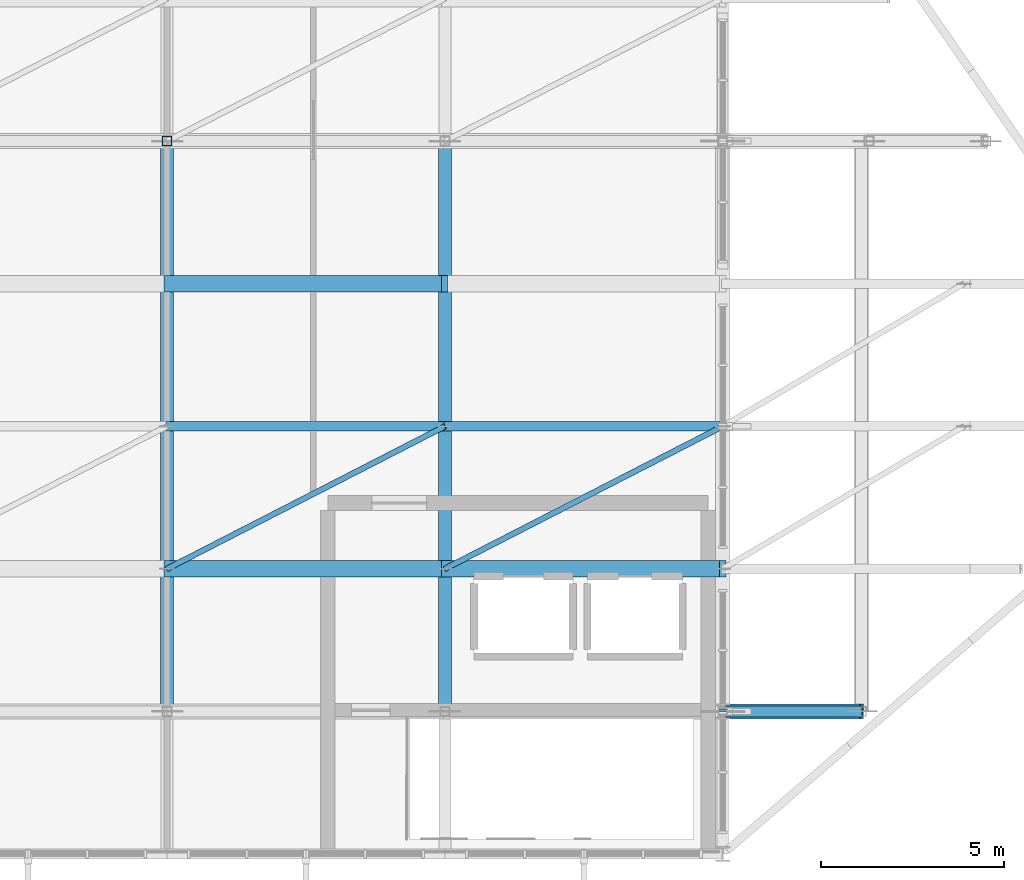
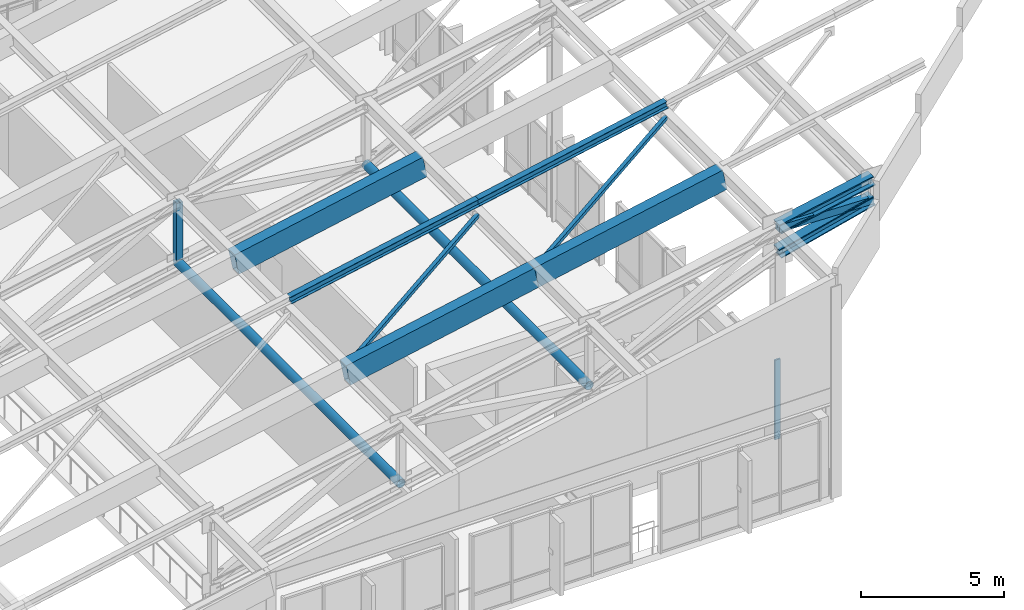
# One storey, part 26 of 73: 11 members, 3 beams, 1 element without a shape of its own.
"""IFC4 building model written with IfcOpenShell, lengths in metres."""

from ifc_helpers import new_model, si_unit, direction, frame, origin, origin_2d, place, context, subcontext, project, spatial, rectangle, hollow_rectangle, hollow_circle, i_section, extrude, material, material_profile, profile_set, type_object, element, aggregate, save


model = new_model("IFC4")

# Units and contexts
model_context = context("Model", 3, precision=1e-05, world=origin(), true_north=direction((0.0, 1.0)))
body_context = subcontext(model_context, "Body", "Model", "MODEL_VIEW")
ifc_project = project(units=[si_unit("LENGTHUNIT", "METRE"), si_unit("AREAUNIT", "SQUARE_METRE"), si_unit("VOLUMEUNIT", "CUBIC_METRE"), si_unit("PLANEANGLEUNIT", "RADIAN"), si_unit("MASSUNIT", "GRAM", prefix="KILO")], contexts=[model_context])

# Site, building, storey
site_placement = place(None, origin())
site = spatial("IfcSite", under=ifc_project, at=site_placement, CompositionType="ELEMENT")
building_placement = place(site_placement, origin())
building = spatial("IfcBuilding", under=site, at=building_placement, Name="Vervanel Yard Central Library", CompositionType="ELEMENT")
storey_placement = place(building_placement, frame((0.0, 0.0, 12.780029296875)))
storey = spatial("IfcBuildingStorey", under=building, at=storey_placement, Name="L03", CompositionType="ELEMENT", Elevation=12.780029296875)

# Beams
ifc_material_1 = material(Name="Concrete C45/55", Category="concrete")
ifc_material_profile_1 = material_profile(ifc_material_1, rectangle(XDim=0.449951171875, YDim=0.89990234375, at=origin_2d()), Name="RC 450x900", Category="concrete")
ifc_profile_set_1 = profile_set([ifc_material_profile_1], Name="Concrete C45/55")
beam_type = type_object("IfcBeamType", Name="Folded Shell Concrete Valley Rib 450x900", PredefinedType="BEAM", material=ifc_profile_set_1)
for number, where, z_axis, x_axis, name in (
    (1, (130.800048828125, 51.0, 5.81103515625), (0.980652097773, 0.0, 0.19575868597), (0.0, 1.0, 0.0), "Folded Shell Valley Rib Bay 6 Y=51.0"),
    (2, (130.800048828125, 58.800048828125, 5.81103515625), (0.980652097773, 0.0, 0.19575868597), (0.0, 1.0, 0.0), "Folded Shell Valley Rib Bay 6 Y=58.8"),
):
    element("IfcBeam", number, at=place(storey_placement, frame(where, z_axis=z_axis, x_axis=x_axis)), inside=storey, type_object=beam_type, Name=name, PredefinedType="BEAM", context=body_context, shape_type="SweptSolid", body=[
        extrude(rectangle(XDim=0.449951171875, YDim=0.89990234375, at=origin_2d()), origin(), (0.0, 0.0, 1.0), 7.749755859375),
    ])
beam_placement = place(storey_placement, frame((138.39990234375, 51.0, 7.328125), z_axis=(0.980653304953, 0.0, 0.195752638515), x_axis=(0.0, 1.0, 0.0)))
element("IfcBeam", 3, at=beam_placement, inside=storey, type_object=beam_type, Name="Folded Shell Valley Rib Bay 7 Y=51.0", PredefinedType="BEAM", context=body_context, shape_type="SweptSolid", body=[
    extrude(rectangle(XDim=0.449951171875, YDim=0.89990234375, at=origin_2d()), origin(), (0.0, 0.0, 1.0), 7.75),
])

# Members
ifc_material_2 = material(Name="Steel ASTM A992 Grade 50", Category="steel")
ifc_material_profile_2 = material_profile(ifc_material_2, i_section(OverallWidth=0.4013671875, OverallDepth=0.398681640625, WebThickness=0.02490234375, FlangeThickness=0.03955078125, at=origin_2d()), Name="W14X211", Category="steel")
ifc_profile_set_2 = profile_set([ifc_material_profile_2], Name="Steel ASTM A992 Grade 50")
member_type_1 = type_object("IfcMemberType", Name="Prow Cantilever Truss Bottom Chord W14X211", PredefinedType="CHORD", material=ifc_profile_set_2)
member_1_placement = place(storey_placement, frame((146.0, 47.10009765625, 8.01513671875), z_axis=(0.970219451342, 0.0, 0.242227612458), x_axis=(0.0, 1.0, 0.0)))
element("IfcMember", 4, at=member_1_placement, inside=storey, type_object=member_type_1, Name="Prow Cantilever Truss S Bottom Chord Panel 4", PredefinedType="CHORD", context=body_context, shape_type="SweptSolid", body=[
    extrude(i_section(OverallWidth=0.4013671875, OverallDepth=0.398681640625, WebThickness=0.02490234375, FlangeThickness=0.03955078125, at=origin_2d()), origin(), (0.0, 0.0, 1.0), 3.916748046875),
])
ifc_material_profile_3 = material_profile(ifc_material_2, i_section(OverallWidth=0.406494140625, OverallDepth=0.41650390625, WebThickness=0.030029296875, FlangeThickness=0.048095703125, at=origin_2d()), Name="W14X257", Category="steel")
ifc_profile_set_3 = profile_set([ifc_material_profile_3], Name="Steel ASTM A992 Grade 50")
member_type_2 = type_object("IfcMemberType", Name="Prow Cantilever Truss Top Chord W14X257", PredefinedType="CHORD", material=ifc_profile_set_3)
member_2_placement = place(storey_placement, frame((146.0, 47.10009765625, 9.065185546875), z_axis=(0.980653304953, 0.0, 0.195752638515), x_axis=(0.0, 1.0, 0.0)))
element("IfcMember", 5, at=member_2_placement, inside=storey, type_object=member_type_2, Name="Prow Cantilever Truss S Top Chord Panel 4", PredefinedType="CHORD", context=body_context, shape_type="SweptSolid", body=[
    extrude(i_section(OverallWidth=0.406494140625, OverallDepth=0.41650390625, WebThickness=0.030029296875, FlangeThickness=0.048095703125, at=origin_2d()), origin(), (0.0, 0.0, 1.0), 3.875),
])
ifc_material_3 = material(Name="Steel ASTM A500 Grade C", Category="steel")
ifc_material_profile_4 = material_profile(ifc_material_3, hollow_circle(Radius=0.177734375, WallThickness=0.01171875, at=origin_2d()), Name="HSS14.000X0.500", Category="steel")
ifc_profile_set_4 = profile_set([ifc_material_profile_4], Name="Steel ASTM A500 Grade C")
member_type_3 = type_object("IfcMemberType", Name="Prow Transverse Tie Strut HSS14.000X0.500", PredefinedType="BRACE", material=ifc_profile_set_4)
for number, where, z_axis, x_axis, name in (
    (6, (130.800048828125, 47.10009765625, 3.43115234375), (0.0, 1.0, 0.0), (-1.0, 0.0, 0.0), "V3 Prow Truss Transverse Tie X=130.8"),
    (7, (138.39990234375, 47.10009765625, 4.9482421875), (0.0, 1.0, 0.0), (-1.0, 0.0, 0.0), "V3 Prow Truss Transverse Tie X=138.4"),
):
    element("IfcMember", number, at=place(storey_placement, frame(where, z_axis=z_axis, x_axis=x_axis)), inside=storey, type_object=member_type_3, Name=name, PredefinedType="BRACE", context=body_context, shape_type="SweptSolid", body=[
        extrude(hollow_circle(Radius=0.177734375, WallThickness=0.01171875, at=origin_2d()), origin(), (0.0, 0.0, 1.0), 15.599853515625),
    ])
ifc_material_profile_5 = material_profile(ifc_material_3, hollow_rectangle(XDim=0.3046875, YDim=0.3046875, WallThickness=0.0146484375, at=origin_2d()), Name="HSS12X12X5/8", Category="steel")
ifc_profile_set_5 = profile_set([ifc_material_profile_5], Name="Steel ASTM A500 Grade C")
member_type_4 = type_object("IfcMemberType", Name="Prow Truss Web Diagonal HSS12X12X5/8", PredefinedType="BRACE", material=ifc_profile_set_5)
member_3_placement = place(storey_placement, frame((146.0, 47.10009765625, 9.065185546875), z_axis=(0.999644748047, 0.0, -0.026652911689), x_axis=(0.0, 1.0, 0.0)))
element("IfcMember", 8, at=member_3_placement, inside=storey, type_object=member_type_4, Name="Prow Cantilever Truss S Web Diagonal 4", PredefinedType="BRACE", context=body_context, shape_type="SweptSolid", body=[
    extrude(hollow_rectangle(XDim=0.3046875, YDim=0.3046875, WallThickness=0.0146484375, at=origin_2d()), origin(), (0.0, 0.0, 1.0), 3.801513671875),
])
ifc_material_profile_6 = material_profile(ifc_material_3, hollow_rectangle(XDim=0.25390625, YDim=0.25390625, WallThickness=0.01171875, at=origin_2d()), Name="HSS10X10X1/2", Category="steel")
ifc_profile_set_6 = profile_set([ifc_material_profile_6], Name="Steel ASTM A500 Grade C")
member_type_5 = type_object("IfcMemberType", Name="Prow Truss Web Vertical HSS10X10X1/2", PredefinedType="BRACE", material=ifc_profile_set_6)
member_4_placement = place(storey_placement, frame((130.800048828125, 62.699951171875, 3.43115234375), z_axis=(0.0, 0.0, 1.0), x_axis=(1.0, 0.0, 0.0)))
element("IfcMember", 9, at=member_4_placement, inside=storey, type_object=member_type_5, Name="Prow Cantilever Truss N Vertical 2", PredefinedType="BRACE", context=body_context, shape_type="SweptSolid", body=[
    extrude(hollow_rectangle(XDim=0.25390625, YDim=0.25390625, WallThickness=0.01171875, at=origin_2d()), origin(), (0.0, 0.0, 1.0), 2.60009765625),
])

# Curtain wall, member
ifc_material_4 = material(Name="Thermally broken anodized aluminium 6063-T6", Category="aluminium")
curtain_wall_type = type_object("IfcCurtainWallType", Name="Prow Cantilever Glazed Curtain Wall", PredefinedType="NOTDEFINED", material=ifc_material_4)
curtain_wall_placement = place(storey_placement, origin())
curtain_wall = element("IfcCurtainWall", 10, at=curtain_wall_placement, inside=storey, type_object=curtain_wall_type, Name="L03 Prow Cantilever Glazed Curtain Wall CWR-L03-141", PredefinedType="NOTDEFINED")
ifc_material_profile_7 = material_profile(ifc_material_4, rectangle(XDim=0.070068359375, YDim=0.219970703125, at=origin_2d()), Name="ALU 70x220", Category="aluminium")
ifc_profile_set_7 = profile_set([ifc_material_profile_7], Name="Thermally broken anodized aluminium 6063-T6")
member_type_6 = type_object("IfcMemberType", Name="Reading Hall Deep Mullion 70x220", PredefinedType="MULLION", material=ifc_profile_set_7)
member_5_placement = place(storey_placement, frame((146.0, 47.135009765625, 0.0), z_axis=(0.0, 0.0, 1.0), x_axis=(0.0, 1.0, 0.0)))
member_5 = element("IfcMember", 11, at=member_5_placement, type_object=member_type_6, Name="CWR-L03-141 Mullion 1", PredefinedType="MULLION", context=body_context, shape_type="SweptSolid", body=[
    extrude(rectangle(XDim=0.070068359375, YDim=0.219970703125, at=origin_2d()), origin(), (0.0, 0.0, 1.0), 3.39990234375),
])
aggregate(curtain_wall, [member_5])

# Members
ifc_material_profile_8 = material_profile(ifc_material_3, hollow_rectangle(XDim=0.15234375, YDim=0.15234375, WallThickness=0.0087890625, at=origin_2d()), Name="HSS6X6X3/8", Category="steel")
ifc_profile_set_8 = profile_set([ifc_material_profile_8], Name="Steel ASTM A500 Grade C")
member_type_7 = type_object("IfcMemberType", Name="Roof Diaphragm Plan Brace HSS6X6X3/8", PredefinedType="BRACE", material=ifc_profile_set_8)
member_6_placement = place(storey_placement, frame((130.800048828125, 51.0, 5.9912109375), z_axis=(0.8759884486, 0.449517796201, 0.17486563075), x_axis=(-0.456552212488, 0.889696620918, 0.0)))
element("IfcMember", 12, at=member_6_placement, inside=storey, type_object=member_type_7, Name="Shell Diaphragm Plan Brace B6-2", PredefinedType="BRACE", context=body_context, shape_type="SweptSolid", body=[
    extrude(hollow_rectangle(XDim=0.15234375, YDim=0.15234375, WallThickness=0.0087890625, at=origin_2d()), origin(), (0.0, 0.0, 1.0), 8.67578125),
])
member_7_placement = place(storey_placement, frame((138.39990234375, 51.0, 7.50830078125), z_axis=(0.875999305193, 0.449508927117, 0.174834040577), x_axis=(-0.456540603361, 0.889702578103, 0.0)))
element("IfcMember", 13, at=member_7_placement, inside=storey, type_object=member_type_7, Name="Shell Diaphragm Plan Brace B7-2", PredefinedType="BRACE", context=body_context, shape_type="SweptSolid", body=[
    extrude(hollow_rectangle(XDim=0.15234375, YDim=0.15234375, WallThickness=0.0087890625, at=origin_2d()), origin(), (0.0, 0.0, 1.0), 8.676025390625),
])
ifc_material_profile_9 = material_profile(ifc_material_2, i_section(OverallWidth=0.25390625, OverallDepth=0.307373046875, WebThickness=0.0087890625, FlangeThickness=0.0146484375, at=origin_2d()), Name="W12X53", Category="steel")
ifc_profile_set_9 = profile_set([ifc_material_profile_9], Name="Steel ASTM A992 Grade 50")
member_type_8 = type_object("IfcMemberType", Name="Shell Roof Purlin W12X53", PredefinedType="PURLIN", material=ifc_profile_set_9)
member_8_placement = place(storey_placement, frame((130.800048828125, 54.89990234375, 6.5830078125), z_axis=(0.980658144981, 0.0, 0.195728390079), x_axis=(0.0, 1.0, 0.0)))
element("IfcMember", 14, at=member_8_placement, inside=storey, type_object=member_type_8, Name="Shell Ridge Purlin Bay 6 Y=54.9", PredefinedType="PURLIN", context=body_context, shape_type="SweptSolid", body=[
    extrude(i_section(OverallWidth=0.25390625, OverallDepth=0.307373046875, WebThickness=0.0087890625, FlangeThickness=0.0146484375, at=origin_2d()), origin(), (0.0, 0.0, 1.0), 7.749755859375),
])
member_9_placement = place(storey_placement, frame((138.39990234375, 54.89990234375, 8.099853515625), z_axis=(0.980653304953, 0.0, 0.195752638515), x_axis=(0.0, 1.0, 0.0)))
element("IfcMember", 15, at=member_9_placement, inside=storey, type_object=member_type_8, Name="Shell Ridge Purlin Bay 7 Y=54.9", PredefinedType="PURLIN", context=body_context, shape_type="SweptSolid", body=[
    extrude(i_section(OverallWidth=0.25390625, OverallDepth=0.307373046875, WebThickness=0.0087890625, FlangeThickness=0.0146484375, at=origin_2d()), origin(), (0.0, 0.0, 1.0), 7.75),
])

save(model, "model.ifc")
